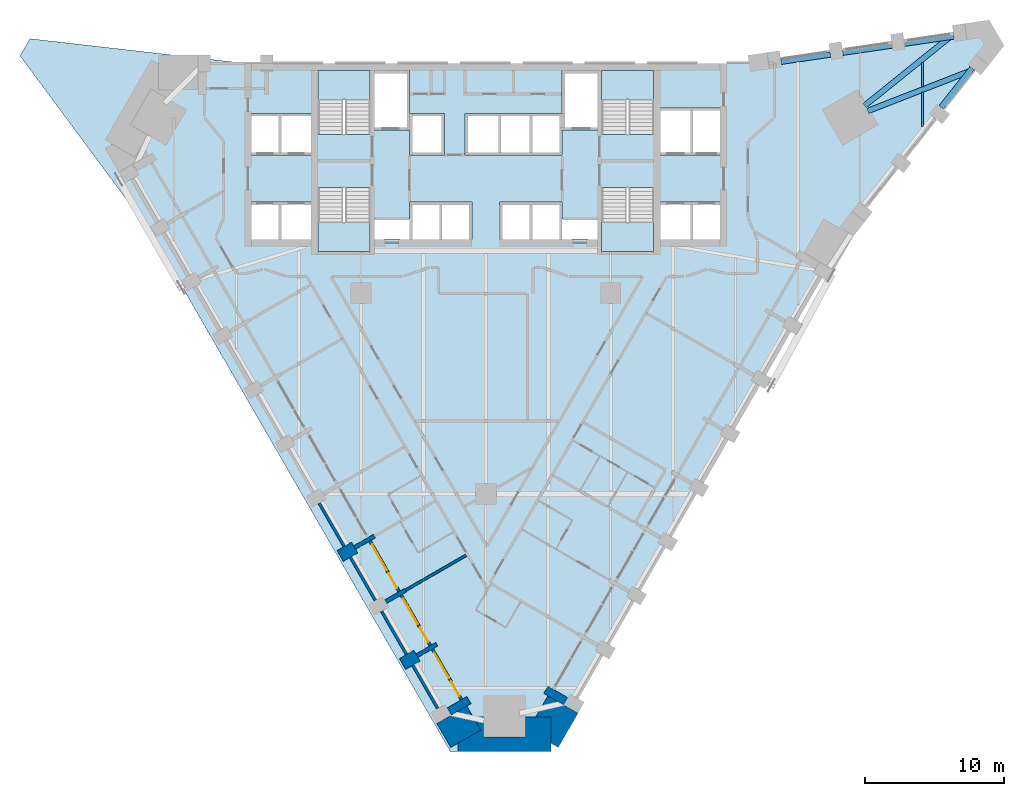
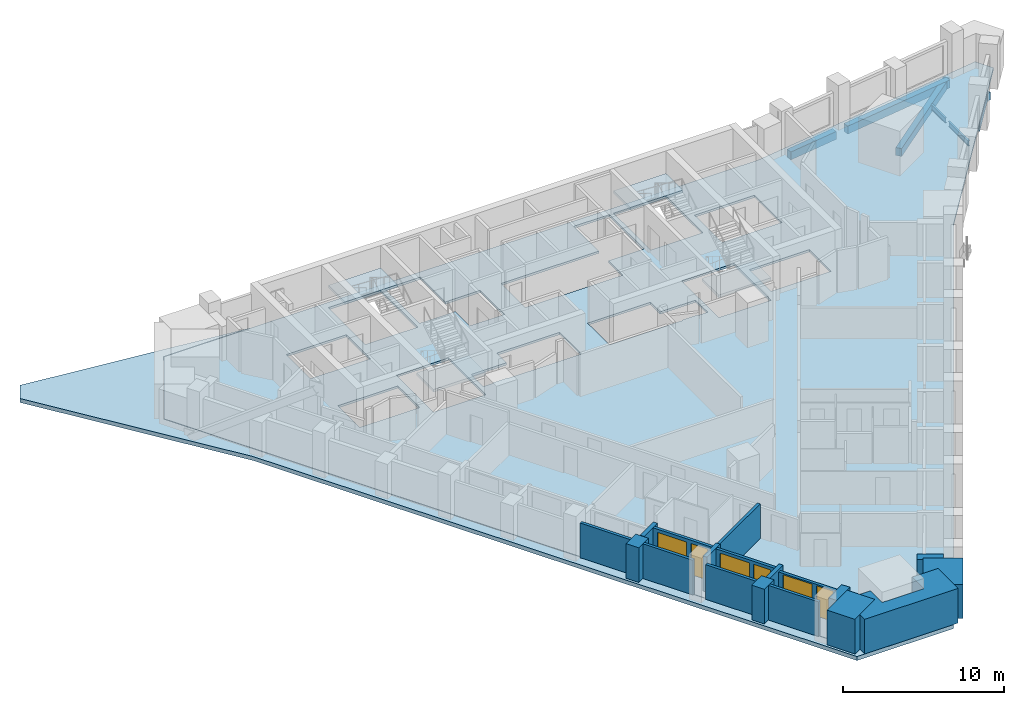
# One storey, part 2 of 10: 18 walls, 7 beams, 6 slabs, 3 doors, 3 windows, 6 openings, 4 elements without a shape of their own.
"""IFC4 building model written with IfcOpenShell, lengths in metres."""

from ifc_helpers import new_model, si_unit, direction, frame, frame_2d, origin, origin_2d, place, context, subcontext, project, spatial, polyline, rectangle, i_section, outline, extrude, material, layer, layer_set, material_profile, profile_set, type_object, element, fill, aggregate, save


model = new_model("IFC4")

# Units and contexts
model_context = context("Model", 3, precision=1e-05, world=origin(), true_north=direction((0.0, 1.0)))
body_context = subcontext(model_context, "Body", "Model", "MODEL_VIEW")
ifc_project = project(units=[si_unit("LENGTHUNIT", "METRE"), si_unit("AREAUNIT", "SQUARE_METRE"), si_unit("VOLUMEUNIT", "CUBIC_METRE"), si_unit("PLANEANGLEUNIT", "RADIAN"), si_unit("MASSUNIT", "GRAM", prefix="KILO")], contexts=[model_context])

# Site, building, storey
site_placement = place(None, origin())
site = spatial("IfcSite", under=ifc_project, at=site_placement, CompositionType="ELEMENT")
building_placement = place(site_placement, origin())
building = spatial("IfcBuilding", under=site, at=building_placement, Name="Calabash Gate Tower", CompositionType="ELEMENT")
storey_placement = place(building_placement, frame((0.0, 0.0, 91.800048828125)))
storey = spatial("IfcBuildingStorey", under=building, at=storey_placement, Name="L19", CompositionType="ELEMENT", Elevation=91.800048828125)

# Beams
ifc_material_1 = material(Name="Concrete C60/75", Category="concrete")
ifc_material_profile_1 = material_profile(ifc_material_1, rectangle(XDim=0.39990234375, YDim=0.60009765625, at=origin_2d()))
ifc_profile_set_1 = profile_set([ifc_material_profile_1], Name="Concrete C60/75")
beam_type_1 = type_object("IfcBeamType", Name="Edge beam RC 400x600 Concrete C60/75", PredefinedType="BEAM", material=ifc_profile_set_1)
beam_1_placement = place(storey_placement, frame((32.841064453125, 15.90087890625, -0.469970703125), z_axis=(0.619938740258, 0.784650213998, 0.0), x_axis=(-0.784650213998, 0.619938740258, 0.0)))
element("IfcBeam", 1, at=beam_1_placement, inside=storey, type_object=beam_type_1, Name="Edge beam L19 12", PredefinedType="BEAM", context=body_context, shape_type="SweptSolid", body=[
    extrude(rectangle(XDim=0.39990234375, YDim=0.60009765625, at=origin_2d()), origin(), (0.0, 0.0, 1.0), 3.601806640625),
])
beam_2_placement = place(storey_placement, frame((35.22705078125, 18.62890625, -0.469970703125), z_axis=(-0.931717680749, -0.363183374317, 0.0), x_axis=(0.363183374317, -0.931717680749, 0.0)))
element("IfcBeam", 2, at=beam_2_placement, inside=storey, type_object=beam_type_1, Name="Edge beam L19 13", PredefinedType="BEAM", context=body_context, shape_type="SweptSolid", body=[
    extrude(rectangle(XDim=0.39990234375, YDim=0.60009765625, at=origin_2d()), origin(), (0.0, 0.0, 1.0), 8.24609375),
])
beam_3_placement = place(storey_placement, frame((27.323974609375, 16.01708984375, -0.469970703125), z_axis=(0.778669142045, 0.62743475137, 0.0), x_axis=(-0.62743475137, 0.778669142045, 0.0)))
element("IfcBeam", 3, at=beam_3_placement, inside=storey, type_object=beam_type_1, Name="Edge beam L19 14", PredefinedType="BEAM", context=body_context, shape_type="SweptSolid", body=[
    extrude(rectangle(XDim=0.39990234375, YDim=0.60009765625, at=origin_2d()), origin(), (0.0, 0.0, 1.0), 8.24755859375),
])
beam_4_placement = place(storey_placement, frame((33.7529296875, 21.012939453125, -0.469970703125), z_axis=(-0.989420683867, -0.145074843913, 0.0), x_axis=(0.145074843913, -0.989420683867, 0.0)))
element("IfcBeam", 4, at=beam_4_placement, inside=storey, type_object=beam_type_1, Name="Edge beam L19 15", PredefinedType="BEAM", context=body_context, shape_type="SweptSolid", body=[
    extrude(rectangle(XDim=0.39990234375, YDim=0.60009765625, at=origin_2d()), origin(), (0.0, 0.0, 1.0), 8.099609375),
])
beam_5_placement = place(storey_placement, frame((24.84912109375, 19.7080078125, -0.469970703125), z_axis=(-0.989433082017, -0.144990262464, 0.0), x_axis=(0.144990262464, -0.989433082017, 0.0)))
element("IfcBeam", 5, at=beam_5_placement, inside=storey, type_object=beam_type_1, Name="Edge beam L19 16", PredefinedType="BEAM", context=body_context, shape_type="SweptSolid", body=[
    extrude(rectangle(XDim=0.39990234375, YDim=0.60009765625, at=origin_2d()), origin(), (0.0, 0.0, 1.0), 3.60009765625),
])
ifc_material_2 = material(Name="Steel ASTM A992 Gr50", Category="steel")
ifc_material_profile_2 = material_profile(ifc_material_2, i_section(OverallWidth=0.1396484375, OverallDepth=0.398681640625, WebThickness=0.00634765625, FlangeThickness=0.0087890625, FilletRadius=0.01025390625, at=origin_2d()))
ifc_profile_set_2 = profile_set([ifc_material_profile_2], Name="Steel ASTM A992 Gr50")
beam_type_2 = type_object("IfcBeamType", Name="Floor beam W16x26 ASTM A992 Gr50", PredefinedType="BEAM", material=ifc_profile_set_2)
beam_6_placement = place(storey_placement, frame((31.5, 14.51611328125, -0.369140625), z_axis=(0.0, 1.0, 0.0), x_axis=(-1.0, 0.0, 0.0)))
element("IfcBeam", 6, at=beam_6_placement, inside=storey, type_object=beam_type_2, Name="Floor beam L19 23", PredefinedType="BEAM", context=body_context, shape_type="SweptSolid", body=[
    extrude(i_section(OverallWidth=0.1396484375, OverallDepth=0.398681640625, WebThickness=0.00634765625, FlangeThickness=0.0087890625, FilletRadius=0.01025390625, at=origin_2d()), origin(), (0.0, 0.0, 1.0), 2.477783203125),
])
beam_7_placement = place(storey_placement, frame((31.5, 17.37890625, -0.369140625), z_axis=(0.0, 1.0, 0.0), x_axis=(-1.0, 0.0, 0.0)))
element("IfcBeam", 7, at=beam_7_placement, inside=storey, type_object=beam_type_2, Name="Floor beam L19 24", PredefinedType="BEAM", context=body_context, shape_type="SweptSolid", body=[
    extrude(i_section(OverallWidth=0.1396484375, OverallDepth=0.398681640625, WebThickness=0.00634765625, FlangeThickness=0.0087890625, FilletRadius=0.01025390625, at=origin_2d()), origin(), (0.0, 0.0, 1.0), 1.76708984375),
])

# Slabs
ifc_material_3 = material(Name="Concrete C40/50", Category="concrete")
ifc_layer_1 = layer(ifc_material_3, 0.169921875)
ifc_layer_set_1 = layer_set([ifc_layer_1], Name="Composite floor slab 170 Concrete C40/50")
slab_type_1 = type_object("IfcSlabType", Name="Composite floor slab 170 Concrete C40/50", PredefinedType="FLOOR", material=ifc_layer_set_1)
slab_1_placement = place(storey_placement, frame((0.0, 0.0, -0.170166015625)))
element("IfcSlab", 8, at=slab_1_placement, inside=storey, type_object=slab_type_1, Name="Floor slab L19", PredefinedType="FLOOR", context=body_context, shape_type="SweptSolid", body=[
    extrude(outline(polyline([(-26.965576171875, 13.240966796875), (-23.610107421875, 19.052490234375), (19.0, 19.052490234375), (35.982177734375, 21.54150390625), (36.646484375, 20.390625), (26.0, 6.92822265625), (4.69482421875, -29.973388671875), (-2.015869140625, -29.973388671875), (-26.965576171875, 13.240966796875)]), holes=[polyline([(-5.5, 9.052490234375), (-5.5, 7.8525390625), (-8.050048828125, 7.8525390625), (-8.050048828125, 6.3525390625), (-7.324951171875, 6.3525390625), (-7.324951171875, 6.402587890625), (-6.22509765625, 6.402587890625), (-6.22509765625, 6.3525390625), (-5.5, 6.3525390625), (-3.25, 6.3525390625), (-1.0, 6.3525390625), (-1.0, 9.052490234375), (-3.25, 9.052490234375), (-5.5, 9.052490234375)]), polyline([(5.5, 9.052490234375), (3.25, 9.052490234375), (1.0, 9.052490234375), (1.0, 6.3525390625), (3.25, 6.3525390625), (5.5, 6.3525390625), (6.22509765625, 6.3525390625), (6.22509765625, 6.402587890625), (7.324951171875, 6.402587890625), (7.324951171875, 6.3525390625), (8.050048828125, 6.3525390625), (8.050048828125, 7.8525390625), (5.5, 7.8525390625), (5.5, 9.052490234375)]), polyline([(-5.5, 14.252685546875), (-5.5, 12.45263671875), (-3.0, 12.45263671875), (-3.0, 15.45263671875), (-5.5, 15.45263671875), (-5.5, 18.552490234375), (-8.050048828125, 18.552490234375), (-8.050048828125, 14.252685546875), (-5.5, 14.252685546875)]), polyline([(8.050048828125, 18.552490234375), (5.5, 18.552490234375), (5.5, 15.45263671875), (3.25, 15.45263671875), (1.0, 15.45263671875), (-1.5, 15.45263671875), (-1.5, 12.45263671875), (1.0, 12.45263671875), (3.25, 12.45263671875), (5.5, 12.45263671875), (5.5, 14.252685546875), (8.050048828125, 14.252685546875), (8.050048828125, 18.552490234375)]), polyline([(-12.60009765625, 6.3525390625), (-12.60009765625, 9.052490234375), (-14.85009765625, 9.052490234375), (-16.89990234375, 9.052490234375), (-16.89990234375, 6.3525390625), (-14.85009765625, 6.3525390625), (-12.60009765625, 6.3525390625)]), polyline([(-14.85009765625, 12.45263671875), (-12.60009765625, 12.45263671875), (-12.60009765625, 15.45263671875), (-14.85009765625, 15.45263671875), (-16.89990234375, 15.45263671875), (-16.89990234375, 12.45263671875), (-14.85009765625, 12.45263671875)]), polyline([(14.85009765625, 6.3525390625), (16.89990234375, 6.3525390625), (16.89990234375, 9.052490234375), (14.85009765625, 9.052490234375), (12.60009765625, 9.052490234375), (12.60009765625, 6.3525390625), (14.85009765625, 6.3525390625)]), polyline([(14.85009765625, 12.45263671875), (16.89990234375, 12.45263671875), (16.89990234375, 15.8525390625), (14.85009765625, 15.8525390625), (12.60009765625, 15.8525390625), (12.60009765625, 12.45263671875), (14.85009765625, 12.45263671875)]), polyline([(-8.35009765625, 18.552490234375), (-12.10009765625, 18.552490234375), (-12.10009765625, 13.95263671875), (-8.35009765625, 13.95263671875), (-8.35009765625, 18.552490234375)]), polyline([(-12.10009765625, 10.1025390625), (-12.10009765625, 5.502685546875), (-8.35009765625, 5.502685546875), (-8.35009765625, 10.1025390625), (-12.10009765625, 10.1025390625)]), polyline([(8.35009765625, 13.95263671875), (12.10009765625, 13.95263671875), (12.10009765625, 18.552490234375), (8.35009765625, 18.552490234375), (8.35009765625, 13.95263671875)]), polyline([(12.10009765625, 5.502685546875), (12.10009765625, 10.1025390625), (8.35009765625, 10.1025390625), (8.35009765625, 5.502685546875), (12.10009765625, 5.502685546875)])]), origin(), (0.0, 0.0, 1.0), 0.170166015625),
])
ifc_material_4 = material(Name="Concrete C40/50", Category="concrete")
ifc_layer_2 = layer(ifc_material_4, 0.300048828125)
ifc_layer_set_2 = layer_set([ifc_layer_2], Name="Reinforced concrete roof slab 300 Concrete C40/50")
slab_type_2 = type_object("IfcSlabType", Name="Reinforced concrete roof slab 300 Concrete C40/50", PredefinedType="ROOF", material=ifc_layer_set_2)
slab_2_placement = place(storey_placement, frame((0.0, 0.0, -0.300048828125)))
element("IfcSlab", 9, at=slab_2_placement, inside=storey, type_object=slab_type_2, Name="Roof slab L18 1", PredefinedType="ROOF", context=body_context, shape_type="SweptSolid", body=[
    extrude(outline(polyline([(4.34814453125, -30.573974609375), (-2.55810546875, -30.573974609375), (-24.2099609375, 6.92822265625), (-33.6025390625, 19.606201171875), (-32.8857421875, 20.84765625), (-17.384765625, 19.072509765625), (-23.610107421875, 19.072509765625), (-23.612060546875, 19.072509765625), (-23.614013671875, 19.072265625), (-23.61572265625, 19.07177734375), (-23.61767578125, 19.071044921875), (-23.619384765625, 19.0703125), (-23.62109375, 19.0693359375), (-23.62255859375, 19.068359375), (-23.6240234375, 19.067138671875), (-23.625244140625, 19.065673828125), (-23.62646484375, 19.064208984375), (-23.62744140625, 19.0625), (-26.98291015625, 13.2509765625), (-26.983642578125, 13.249267578125), (-26.984375, 13.247314453125), (-26.985107421875, 13.24560546875), (-26.9853515625, 13.24365234375), (-26.985595703125, 13.241943359375), (-26.985595703125, 13.239990234375), (-26.9853515625, 13.238037109375), (-26.985107421875, 13.236083984375), (-26.984375, 13.234375), (-26.983642578125, 13.232666015625), (-26.98291015625, 13.23095703125), (-2.033203125, -29.9833984375), (-2.0322265625, -29.98486328125), (-2.031005859375, -29.986328125), (-2.029541015625, -29.98779296875), (-2.0283203125, -29.989013671875), (-2.026611328125, -29.990234375), (-2.02490234375, -29.990966796875), (-2.023193359375, -29.991943359375), (-2.021484375, -29.992431640625), (-2.01953125, -29.992919921875), (-2.017822265625, -29.9931640625), (-2.015869140625, -29.993408203125), (4.683349609375, -29.993408203125), (4.34814453125, -30.573974609375)])), origin(), (0.0, 0.0, 1.0), 0.300048828125),
])

# Stair, slab
ifc_material_5 = material(Name="Concrete C40/50", Category="concrete")
stair_type = type_object("IfcStairType", Name="Exit stair 20 risers of 170 mm", PredefinedType="HALF_TURN_STAIR", material=ifc_material_5)
stair_1_placement = place(storey_placement, origin())
stair_1 = element("IfcStair", 10, at=stair_1_placement, inside=storey, type_object=stair_type, Name="L19 Exit stair ST1", PredefinedType="HALF_TURN_STAIR")
ifc_material_6 = material(Name="Concrete C40/50", Category="concrete")
ifc_layer_3 = layer(ifc_material_6, 0.199951171875)
ifc_layer_set_3 = layer_set([ifc_layer_3], Name="Stair landing SL200")
slab_type_3 = type_object("IfcSlabType", Name="Stair landing SL200", PredefinedType="LANDING", material=ifc_layer_set_3)
slab_3_placement = place(storey_placement, frame((0.0, 0.0, 1.5)))
slab_3 = element("IfcSlab", 11, at=slab_3_placement, type_object=slab_type_3, Name="ST1 landing 1", PredefinedType="LANDING", context=body_context, shape_type="SweptSolid", body=[
    extrude(outline(polyline([(-8.35009765625, 16.463623046875), (-8.35009765625, 18.552490234375), (-12.10009765625, 18.552490234375), (-12.10009765625, 16.463623046875), (-8.35009765625, 16.463623046875)])), origin(), (0.0, 0.0, 1.0), 0.199951171875),
])
aggregate(stair_1, [slab_3])

stair_2_placement = place(storey_placement, origin())
stair_2 = element("IfcStair", 12, at=stair_2_placement, inside=storey, type_object=stair_type, Name="L19 Exit stair ST2", PredefinedType="HALF_TURN_STAIR")
slab_4_placement = place(storey_placement, frame((0.0, 0.0, 1.5)))
slab_4 = element("IfcSlab", 13, at=slab_4_placement, type_object=slab_type_3, Name="ST2 landing 1", PredefinedType="LANDING", context=body_context, shape_type="SweptSolid", body=[
    extrude(outline(polyline([(-12.10009765625, 7.591552734375), (-12.10009765625, 5.502685546875), (-8.35009765625, 5.502685546875), (-8.35009765625, 7.591552734375), (-12.10009765625, 7.591552734375)])), origin(), (0.0, 0.0, 1.0), 0.199951171875),
])
aggregate(stair_2, [slab_4])

stair_3_placement = place(storey_placement, origin())
stair_3 = element("IfcStair", 14, at=stair_3_placement, inside=storey, type_object=stair_type, Name="L19 Exit stair ST3", PredefinedType="HALF_TURN_STAIR")
slab_5_placement = place(storey_placement, frame((0.0, 0.0, 1.5)))
slab_5 = element("IfcSlab", 15, at=slab_5_placement, type_object=slab_type_3, Name="ST3 landing 1", PredefinedType="LANDING", context=body_context, shape_type="SweptSolid", body=[
    extrude(outline(polyline([(12.10009765625, 16.463623046875), (12.10009765625, 18.552490234375), (8.35009765625, 18.552490234375), (8.35009765625, 16.463623046875), (12.10009765625, 16.463623046875)])), origin(), (0.0, 0.0, 1.0), 0.199951171875),
])
aggregate(stair_3, [slab_5])

stair_4_placement = place(storey_placement, origin())
stair_4 = element("IfcStair", 16, at=stair_4_placement, inside=storey, type_object=stair_type, Name="L19 Exit stair ST4", PredefinedType="HALF_TURN_STAIR")
slab_6_placement = place(storey_placement, frame((0.0, 0.0, 1.5)))
slab_6 = element("IfcSlab", 17, at=slab_6_placement, type_object=slab_type_3, Name="ST4 landing 1", PredefinedType="LANDING", context=body_context, shape_type="SweptSolid", body=[
    extrude(outline(polyline([(8.35009765625, 7.591552734375), (8.35009765625, 5.502685546875), (12.10009765625, 5.502685546875), (12.10009765625, 7.591552734375), (8.35009765625, 7.591552734375)])), origin(), (0.0, 0.0, 1.0), 0.199951171875),
])
aggregate(stair_4, [slab_6])

# Walls
ifc_material_7 = material(Name="Terracotta brick masonry, exposed face", Category="masonry")
ifc_layer_4 = layer(ifc_material_7, 2.5)
ifc_layer_set_4 = layer_set([ifc_layer_4], Name="Brick corner mass wall 2500")
wall_type_1 = type_object("IfcWallType", Name="Brick corner mass wall 2500", PredefinedType="SOLIDWALL", material=ifc_layer_set_4)
wall_1_placement = place(storey_placement, origin())
element("IfcWall", 18, at=wall_1_placement, inside=storey, type_object=wall_type_1, Name="Brick corner pier S05 1a", PredefinedType="SOLIDWALL", context=body_context, shape_type="SweptSolid", body=[
    extrude(outline(polyline([(-3.535400390625, -28.54150390625), (-2.535400390625, -30.273193359375), (-0.370361328125, -29.023193359375), (-1.370361328125, -27.29150390625), (-2.496337890625, -27.941650390625), (-2.496337890625, -27.941650390625), (-3.535400390625, -28.54150390625)])), origin(), (0.0, 0.0, 1.0), 2.6298828125),
])
wall_2_placement = place(storey_placement, origin())
element("IfcWall", 19, at=wall_2_placement, inside=storey, type_object=wall_type_1, Name="Brick corner pier S05 1b", PredefinedType="SOLIDWALL", context=body_context, shape_type="SweptSolid", body=[
    extrude(outline(polyline([(-0.9189453125, -28.0732421875), (-0.370361328125, -29.023193359375), (-2.015869140625, -29.973388671875), (-2.015869140625, -30.5732421875), (4.69482421875, -30.5732421875), (4.69482421875, -28.0732421875), (2.840087890625, -28.0732421875), (2.840087890625, -29.530029296875), (-0.159912109375, -29.530029296875), (-0.159912109375, -28.0732421875), (-0.9189453125, -28.0732421875)])), origin(), (0.0, 0.0, 1.0), 2.6298828125),
])
wall_3_placement = place(storey_placement, origin())
element("IfcWall", 20, at=wall_3_placement, inside=storey, type_object=wall_type_1, Name="Brick corner pier S05 1c", PredefinedType="SOLIDWALL", context=body_context, shape_type="SweptSolid", body=[
    extrude(outline(polyline([(6.641845703125, -27.800537109375), (4.47705078125, -26.55078125), (3.597900390625, -28.0732421875), (4.69482421875, -28.0732421875), (4.69482421875, -29.973388671875), (5.214599609375, -30.273193359375), (6.641845703125, -27.800537109375)])), origin(), (0.0, 0.0, 1.0), 2.5517578125),
])
ifc_material_8 = material(Name="Terracotta brick masonry, exposed face", Category="masonry")
ifc_layer_5 = layer(ifc_material_8, 1.199951171875)
ifc_layer_set_5 = layer_set([ifc_layer_5], Name="Brick end wall 1200")
wall_type_2 = type_object("IfcWallType", Name="Brick end wall 1200", PredefinedType="SOLIDWALL", material=ifc_layer_set_5)
wall_4_placement = place(storey_placement, frame((-10.51025390625, -16.46044921875, 0.0), z_axis=(0.0, 0.0, 1.0), x_axis=(0.865955154139, 0.50012165622, 0.0)))
element("IfcWall", 21, at=wall_4_placement, inside=storey, type_object=wall_type_2, Name="Brick pier S05 SW0.7", PredefinedType="SOLIDWALL", context=body_context, shape_type="SweptSolid", body=[
    extrude(rectangle(XDim=1.199951171875, YDim=0.89990234375, at=frame_2d((0.60009765625, 0.0))), origin(), (0.0, 0.0, 1.0), 2.6298828125),
])
wall_5_placement = place(storey_placement, frame((-6.01025390625, -24.254638671875, 0.0), z_axis=(0.0, 0.0, 1.0), x_axis=(0.866043267704, 0.499969057507, 0.0)))
element("IfcWall", 22, at=wall_5_placement, inside=storey, type_object=wall_type_2, Name="Brick pier S05 SW0.9", PredefinedType="SOLIDWALL", context=body_context, shape_type="SweptSolid", body=[
    extrude(rectangle(XDim=1.19970703125, YDim=0.89990234375, at=frame_2d((0.599853515625, 0.0))), origin(), (0.0, 0.0, 1.0), 2.6298828125),
])
ifc_material_9 = material(Name="Terracotta brick masonry, exposed face", Category="masonry")
ifc_layer_6 = layer(ifc_material_9, 0.300048828125)
ifc_layer_set_6 = layer_set([ifc_layer_6], Name="Brick loggia cheek wall 300")
wall_type_3 = type_object("IfcWallType", Name="Brick loggia cheek wall 300", PredefinedType="SOLIDWALL", material=ifc_layer_set_6)
for number, where, z_axis, x_axis, name in (
    (23, (-8.042236328125, -15.035400390625, 0.0), (0.0, 0.0, 1.0), (-0.866040211805, -0.499974350878, 0.0), "Loggia cheek S05 SW0.7"),
    (24, (-7.22119140625, -19.757568359375, 0.0), (0.0, 0.0, 1.0), (0.866040211805, 0.499974350878, 0.0), "Loggia cheek S05 SW0.8"),
):
    element("IfcWall", number, at=place(storey_placement, frame(where, z_axis=z_axis, x_axis=x_axis)), inside=storey, type_object=wall_type_3, Name=name, PredefinedType="SOLIDWALL", context=body_context, shape_type="SweptSolid", body=[
        extrude(rectangle(XDim=1.64990234375, YDim=0.300048828125, at=frame_2d((0.824951171875, 0.0))), origin(), (0.0, 0.0, 1.0), 2.64990234375),
    ])
wall_6_placement = place(storey_placement, frame((-4.97119140625, -23.65478515625, 0.0), z_axis=(0.0, 0.0, 1.0), x_axis=(0.865976140824, 0.500085316245, 0.0)))
element("IfcWall", 25, at=wall_6_placement, inside=storey, type_object=wall_type_3, Name="Loggia cheek S05 SW0.9", PredefinedType="SOLIDWALL", context=body_context, shape_type="SweptSolid", body=[
    extrude(rectangle(XDim=1.650146484375, YDim=0.300048828125, at=frame_2d((0.8251953125, 0.0))), origin(), (0.0, 0.0, 1.0), 2.6279296875),
])
wall_7_placement = place(storey_placement, frame((-1.217041015625, -26.856689453125, 0.0), z_axis=(0.0, 0.0, 1.0), x_axis=(-0.866040211805, -0.499974350878, 0.0)))
element("IfcWall", 26, at=wall_7_placement, inside=storey, type_object=wall_type_3, Name="Loggia cheek S05 SW0.10", PredefinedType="SOLIDWALL", context=body_context, shape_type="SweptSolid", body=[
    extrude(rectangle(XDim=1.64990234375, YDim=0.60009765625, at=frame_2d((0.824951171875, 0.0))), origin(), (0.0, 0.0, 1.0), 2.6298828125),
])
wall_8_placement = place(storey_placement, frame((5.75244140625, -26.940673828125, 0.0), z_axis=(0.0, 0.0, 1.0), x_axis=(-0.866030301974, 0.499991515992, 0.0)))
element("IfcWall", 27, at=wall_8_placement, inside=storey, type_object=wall_type_3, Name="Loggia cheek S05 SE2.0", PredefinedType="SOLIDWALL", context=body_context, shape_type="SweptSolid", body=[
    extrude(rectangle(XDim=1.6494140625, YDim=0.60009765625, at=frame_2d((0.82470703125, 0.0))), origin(), (0.0, 0.0, 1.0), 2.449951171875),
])
ifc_material_10 = material(Name="Gypsum board on steel studs, mineral wool", Category="steel")
ifc_layer_7 = layer(ifc_material_10, 0.199951171875)
ifc_layer_set_7 = layer_set([ifc_layer_7], Name="Partition 200 gypsum board EI 60")
wall_type_4 = type_object("IfcWallType", Name="Partition 200 gypsum board EI 60", PredefinedType="PARTITIONING", material=ifc_layer_set_7)
wall_9_placement = place(storey_placement, frame((-5.7919921875, -18.93310546875, 0.0), z_axis=(0.0, 0.0, 1.0), x_axis=(0.866155802953, 0.499774073968, 0.0)))
element("IfcWall", 28, at=wall_9_placement, inside=storey, type_object=wall_type_4, Name="Partition", PredefinedType="PARTITIONING", context=body_context, shape_type="SweptSolid", body=[
    extrude(rectangle(XDim=5.049560546875, YDim=0.199951171875, at=frame_2d((2.52490234375, 0.0))), origin(), (0.0, 0.0, 1.0), 2.6279296875),
])
ifc_material_11 = material(Name="Terracotta brick masonry, perforated", Category="masonry")
ifc_layer_8 = layer(ifc_material_11, 0.199951171875)
ifc_layer_set_8 = layer_set([ifc_layer_8], Name="Terracotta jaali screen A")
wall_type_5 = type_object("IfcWallType", Name="Terracotta jaali screen A", PredefinedType="SOLIDWALL", material=ifc_layer_set_8)
wall_10_placement = place(storey_placement, frame((-12.015625, -12.653076171875, 0.0), z_axis=(0.0, 0.0, 1.0), x_axis=(0.499961193289, -0.866047807691, 0.0)))
element("IfcWall", 29, at=wall_10_placement, inside=storey, type_object=wall_type_5, Name="SCREEN A S05 SW0.7", PredefinedType="SOLIDWALL", context=body_context, shape_type="SweptSolid", body=[
    extrude(rectangle(XDim=3.599853515625, YDim=0.199951171875, at=frame_2d((1.7998046875, 0.0))), origin(), (0.0, 0.0, 1.0), 2.6298828125),
])
wall_11_placement = place(storey_placement, frame((-9.765625, -16.550048828125, 0.0), z_axis=(0.0, 0.0, 1.0), x_axis=(0.499931829785, -0.866064758299, 0.0)))
element("IfcWall", 30, at=wall_11_placement, inside=storey, type_object=wall_type_5, Name="SCREEN A S05 SW0.8", PredefinedType="SOLIDWALL", context=body_context, shape_type="SweptSolid", body=[
    extrude(rectangle(XDim=3.60009765625, YDim=0.199951171875, at=frame_2d((1.800048828125, 0.0))), origin(), (0.0, 0.0, 1.0), 2.6298828125),
])
for number, where, z_axis, x_axis, name in (
    (31, (-7.515625, -20.447265625, 0.0), (0.0, 0.0, 1.0), (0.499961193289, -0.866047807691, 0.0), "SCREEN A S05 SW0.9"),
    (32, (-5.265625, -24.344482421875, 0.0), (0.0, 0.0, 1.0), (0.499961193289, -0.866047807691, 0.0), "SCREEN A S05 SW0.10"),
):
    element("IfcWall", number, at=place(storey_placement, frame(where, z_axis=z_axis, x_axis=x_axis)), inside=storey, type_object=wall_type_5, Name=name, PredefinedType="SOLIDWALL", context=body_context, shape_type="SweptSolid", body=[
        extrude(rectangle(XDim=3.599853515625, YDim=0.199951171875, at=frame_2d((1.7998046875, 0.0))), origin(), (0.0, 0.0, 1.0), 2.6298828125),
    ])

# Wall, openings, door, window
ifc_material_12 = material(Name="Aluminium framed window wall with insulated spandrel", Category="aluminium")
ifc_layer_9 = layer(ifc_material_12, 0.199951171875)
ifc_layer_set_9 = layer_set([ifc_layer_9], Name="Window wall 200")
wall_type_6 = type_object("IfcWallType", Name="Window wall 200", PredefinedType="ELEMENTEDWALL", material=ifc_layer_set_9)
wall_12_placement = place(storey_placement, frame((-8.35693359375, -15.390380859375, 0.0), z_axis=(0.0, 0.0, 1.0), x_axis=(0.500027713859, -0.866009402589, 0.0)))
wall_12 = element("IfcWall", 33, at=wall_12_placement, inside=storey, type_object=wall_type_6, Name="Window wall S05 SW0.8", PredefinedType="ELEMENTEDWALL", context=body_context, shape_type="SweptSolid", body=[
    extrude(rectangle(XDim=4.199951171875, YDim=0.199951171875, at=frame_2d((2.10009765625, 0.0))), origin(), (0.0, 0.0, 1.0), 2.64990234375),
])
opening_1_placement = place(wall_12_placement, frame((0.300048828125, 0.0, 0.60009765625)))
opening_1 = element("IfcOpeningElement", 34, at=opening_1_placement, cuts=wall_12, Name="Opening HW1", PredefinedType="OPENING", context=body_context, shape_type="SweptSolid", body=[
    extrude(rectangle(XDim=2.10009765625, YDim=1.800048828125, at=frame_2d((1.050048828125, 0.89990234375))), frame((0.0, 0.10986328125, 0.0), z_axis=(0.0, -1.0, 0.0), x_axis=(1.0, 0.0, 0.0)), (0.0, 0.0, 1.0), 0.219970703125),
])
opening_2_placement = place(wall_12_placement, frame((2.699951171875, 0.0, 0.0)))
opening_2 = element("IfcOpeningElement", 35, at=opening_2_placement, cuts=wall_12, Name="Opening H5-026", PredefinedType="OPENING", context=body_context, shape_type="SweptSolid", body=[
    extrude(rectangle(XDim=1.199951171875, YDim=2.39990234375, at=frame_2d((0.60009765625, 1.199951171875))), frame((0.0, 0.10986328125, 0.0), z_axis=(0.0, -1.0, 0.0), x_axis=(1.0, 0.0, 0.0)), (0.0, 0.0, 1.0), 0.219970703125),
])
ifc_material_13 = material(Name="Anodised aluminium frame, bronze finish, impact-rated laminated clear glazing", Category="aluminium")
door_type_1 = type_object("IfcDoorType", Name="Loggia door DH1 1200x2400", OperationType="SLIDING_TO_LEFT", PredefinedType="DOOR", material=ifc_material_13)
door_1_placement = place(opening_2_placement, origin())
door_1 = element("IfcDoor", 36, at=door_1_placement, inside=storey, type_object=door_type_1, Name="Loggia door S05 SW0.8", OperationType="SINGLE_SWING_LEFT", OverallHeight=2.39990234375, OverallWidth=1.199951171875, PredefinedType="DOOR", context=body_context, shape_type="SweptSolid", body=[
    extrude(rectangle(XDim=1.199951171875, YDim=2.39990234375, at=frame_2d((0.60009765625, 1.199951171875))), frame((0.0, 0.02490234375, 0.0), z_axis=(0.0, -1.0, 0.0), x_axis=(1.0, 0.0, 0.0)), (0.0, 0.0, 1.0), 0.050048828125),
])
fill(opening_2, door_1)
ifc_material_14 = material(Name="Anodised aluminium frame, bronze finish, impact-rated laminated clear glazing", Category="aluminium")
window_type_1 = type_object("IfcWindowType", Name="Window HW1 2100x1800", PartitioningType="DOUBLE_PANEL_VERTICAL", PredefinedType="WINDOW", material=ifc_material_14)
window_1_placement = place(opening_1_placement, origin())
window_1 = element("IfcWindow", 37, at=window_1_placement, inside=storey, type_object=window_type_1, Name="Window HW1 S05 SW0.8", OverallHeight=1.800048828125, OverallWidth=2.10009765625, PartitioningType="SINGLE_PANEL", PredefinedType="WINDOW", context=body_context, shape_type="SweptSolid", body=[
    extrude(rectangle(XDim=2.10009765625, YDim=1.800048828125, at=frame_2d((1.050048828125, 0.89990234375))), frame((0.0, 0.030029296875, 0.0), z_axis=(0.0, -1.0, 0.0), x_axis=(1.0, 0.0, 0.0)), (0.0, 0.0, 1.0), 0.06005859375),
])
fill(opening_1, window_1)

wall_13_placement = place(storey_placement, frame((-6.10693359375, -19.287353515625, 0.0), z_axis=(0.0, 0.0, 1.0), x_axis=(0.500002543286, -0.866023935413, 0.0)))
wall_13 = element("IfcWall", 38, at=wall_13_placement, inside=storey, type_object=wall_type_6, Name="Window wall S05 SW0.9", PredefinedType="ELEMENTEDWALL", context=body_context, shape_type="SweptSolid", body=[
    extrude(rectangle(XDim=4.2001953125, YDim=0.199951171875, at=frame_2d((2.10009765625, 0.0))), origin(), (0.0, 0.0, 1.0), 2.6279296875),
])
opening_3_placement = place(wall_13_placement, frame((0.300048828125, 0.0, 0.60009765625)))
opening_3 = element("IfcOpeningElement", 39, at=opening_3_placement, cuts=wall_13, Name="Opening HW1", PredefinedType="OPENING", context=body_context, shape_type="SweptSolid", body=[
    extrude(rectangle(XDim=2.10009765625, YDim=1.800048828125, at=frame_2d((1.050048828125, 0.89990234375))), frame((0.0, 0.10986328125, 0.0), z_axis=(0.0, -1.0, 0.0), x_axis=(1.0, 0.0, 0.0)), (0.0, 0.0, 1.0), 0.219970703125),
])
opening_4_placement = place(wall_13_placement, frame((2.699951171875, 0.0, 0.0)))
opening_4 = element("IfcOpeningElement", 40, at=opening_4_placement, cuts=wall_13, Name="Opening H5-027", PredefinedType="OPENING", context=body_context, shape_type="SweptSolid", body=[
    extrude(rectangle(XDim=1.199951171875, YDim=2.39990234375, at=frame_2d((0.60009765625, 1.199951171875))), frame((0.0, 0.10986328125, 0.0), z_axis=(0.0, -1.0, 0.0), x_axis=(1.0, 0.0, 0.0)), (0.0, 0.0, 1.0), 0.219970703125),
])
door_2_placement = place(opening_4_placement, origin())
door_2 = element("IfcDoor", 41, at=door_2_placement, inside=storey, type_object=door_type_1, Name="Loggia door S05 SW0.9", OperationType="SINGLE_SWING_LEFT", OverallHeight=2.39990234375, OverallWidth=1.199951171875, PredefinedType="DOOR", context=body_context, shape_type="SweptSolid", body=[
    extrude(rectangle(XDim=1.199951171875, YDim=2.39990234375, at=frame_2d((0.60009765625, 1.199951171875))), frame((0.0, 0.02490234375, 0.0), z_axis=(0.0, -1.0, 0.0), x_axis=(1.0, 0.0, 0.0)), (0.0, 0.0, 1.0), 0.050048828125),
])
fill(opening_4, door_2)
window_2_placement = place(opening_3_placement, origin())
window_2 = element("IfcWindow", 42, at=window_2_placement, inside=storey, type_object=window_type_1, Name="Window HW1 S05 SW0.9", OverallHeight=1.800048828125, OverallWidth=2.10009765625, PartitioningType="SINGLE_PANEL", PredefinedType="WINDOW", context=body_context, shape_type="SweptSolid", body=[
    extrude(rectangle(XDim=2.10009765625, YDim=1.800048828125, at=frame_2d((1.050048828125, 0.89990234375))), frame((0.0, 0.030029296875, 0.0), z_axis=(0.0, -1.0, 0.0), x_axis=(1.0, 0.0, 0.0)), (0.0, 0.0, 1.0), 0.06005859375),
])
fill(opening_3, window_2)

wall_14_placement = place(storey_placement, frame((-3.85693359375, -23.1845703125, 0.0), z_axis=(0.0, 0.0, 1.0), x_axis=(0.500027713859, -0.866009402589, 0.0)))
wall_14 = element("IfcWall", 43, at=wall_14_placement, inside=storey, type_object=wall_type_6, Name="Window wall S05 SW0.10", PredefinedType="ELEMENTEDWALL", context=body_context, shape_type="SweptSolid", body=[
    extrude(rectangle(XDim=4.199951171875, YDim=0.199951171875, at=frame_2d((2.10009765625, 0.0))), origin(), (0.0, 0.0, 1.0), 2.449951171875),
])
opening_5_placement = place(wall_14_placement, frame((0.300048828125, 0.0, 0.60009765625)))
opening_5 = element("IfcOpeningElement", 44, at=opening_5_placement, cuts=wall_14, Name="Opening HW1L-1750", PredefinedType="OPENING", context=body_context, shape_type="SweptSolid", body=[
    extrude(rectangle(XDim=2.10009765625, YDim=1.75, at=frame_2d((1.050048828125, 0.875))), frame((0.0, 0.10986328125, 0.0), z_axis=(0.0, -1.0, 0.0), x_axis=(1.0, 0.0, 0.0)), (0.0, 0.0, 1.0), 0.219970703125),
])
opening_6_placement = place(wall_14_placement, frame((2.699951171875, 0.0, 0.0)))
opening_6 = element("IfcOpeningElement", 45, at=opening_6_placement, cuts=wall_14, Name="Opening H5-028", PredefinedType="OPENING", context=body_context, shape_type="SweptSolid", body=[
    extrude(rectangle(XDim=1.199951171875, YDim=2.35009765625, at=frame_2d((0.60009765625, 1.175048828125))), frame((0.0, 0.10986328125, 0.0), z_axis=(0.0, -1.0, 0.0), x_axis=(1.0, 0.0, 0.0)), (0.0, 0.0, 1.0), 0.219970703125),
])
ifc_material_15 = material(Name="Anodised aluminium frame, bronze finish, impact-rated laminated clear glazing", Category="aluminium")
door_type_2 = type_object("IfcDoorType", Name="Loggia door DH1L-2350 1200x2350", OperationType="SLIDING_TO_LEFT", PredefinedType="DOOR", material=ifc_material_15)
door_3_placement = place(opening_6_placement, origin())
door_3 = element("IfcDoor", 46, at=door_3_placement, inside=storey, type_object=door_type_2, Name="Loggia door S05 SW0.10", OperationType="SINGLE_SWING_LEFT", OverallHeight=2.35009765625, OverallWidth=1.199951171875, PredefinedType="DOOR", context=body_context, shape_type="SweptSolid", body=[
    extrude(rectangle(XDim=1.199951171875, YDim=2.35009765625, at=frame_2d((0.60009765625, 1.175048828125))), frame((0.0, 0.02490234375, 0.0), z_axis=(0.0, -1.0, 0.0), x_axis=(1.0, 0.0, 0.0)), (0.0, 0.0, 1.0), 0.050048828125),
])
fill(opening_6, door_3)
ifc_material_16 = material(Name="Anodised aluminium frame, bronze finish, impact-rated laminated clear glazing", Category="aluminium")
window_type_2 = type_object("IfcWindowType", Name="Window HW1L 2100x1750", PartitioningType="DOUBLE_PANEL_VERTICAL", PredefinedType="WINDOW", material=ifc_material_16)
window_3_placement = place(opening_5_placement, origin())
window_3 = element("IfcWindow", 47, at=window_3_placement, inside=storey, type_object=window_type_2, Name="Window HW1 S05 SW0.10", OverallHeight=1.75, OverallWidth=2.10009765625, PartitioningType="SINGLE_PANEL", PredefinedType="WINDOW", context=body_context, shape_type="SweptSolid", body=[
    extrude(rectangle(XDim=2.10009765625, YDim=1.75, at=frame_2d((1.050048828125, 0.875))), frame((0.0, 0.030029296875, 0.0), z_axis=(0.0, -1.0, 0.0), x_axis=(1.0, 0.0, 0.0)), (0.0, 0.0, 1.0), 0.06005859375),
])
fill(opening_5, window_3)

save(model, "model.ifc")
